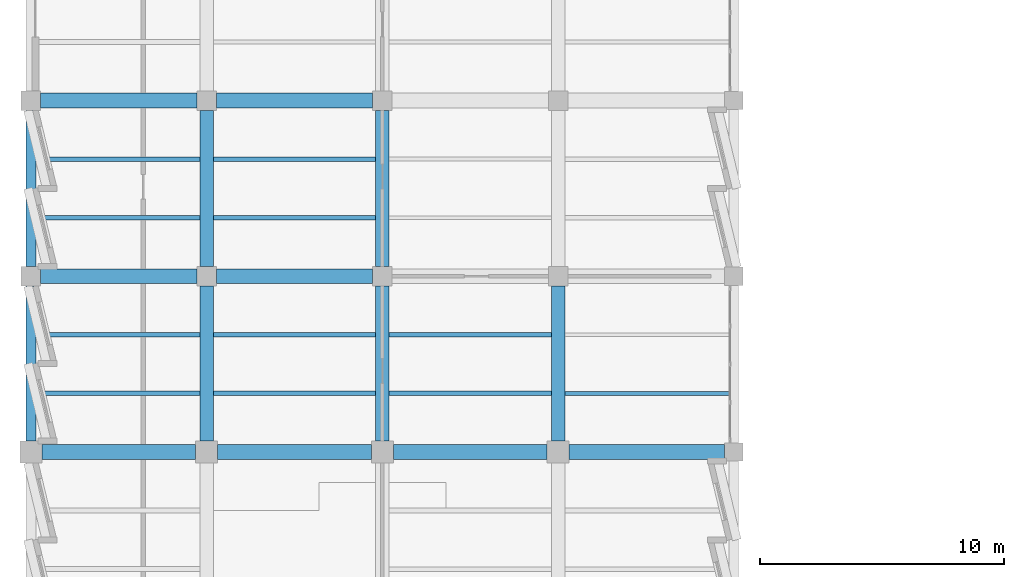
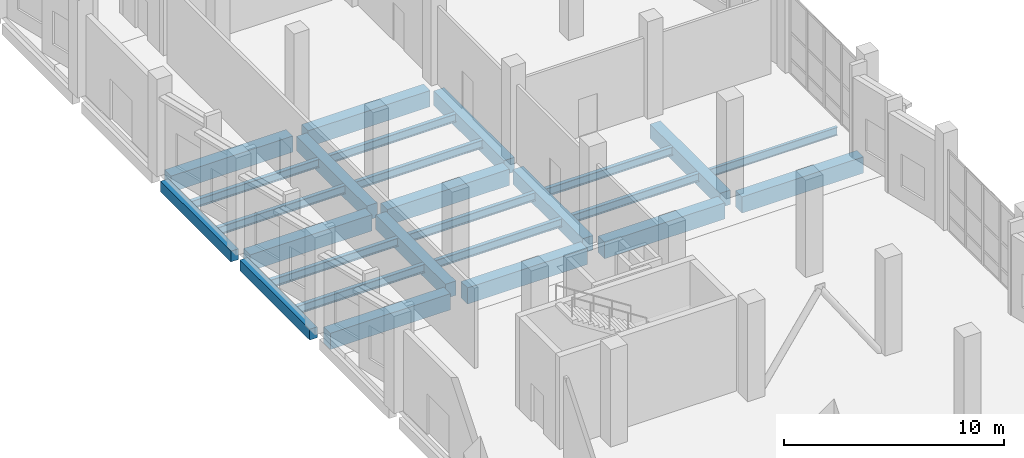
# One storey, part 43 of 137: 26 beams.
"""IFC4 building model written with IfcOpenShell, lengths in metres."""

from ifc_helpers import new_model, si_unit, direction, frame, origin, origin_2d, place, context, subcontext, project, spatial, rectangle, i_section, extrude, material, material_profile, profile_set, type_object, element, save


model = new_model("IFC4")

# Units and contexts
model_context = context("Model", 3, precision=1e-05, world=origin(), true_north=direction((0.0, 1.0)))
body_context = subcontext(model_context, "Body", "Model", "MODEL_VIEW")
ifc_project = project(units=[si_unit("LENGTHUNIT", "METRE"), si_unit("AREAUNIT", "SQUARE_METRE"), si_unit("VOLUMEUNIT", "CUBIC_METRE"), si_unit("PLANEANGLEUNIT", "RADIAN"), si_unit("MASSUNIT", "GRAM", prefix="KILO")], contexts=[model_context])

# Site, building, storey
site_placement = place(None, origin())
site = spatial("IfcSite", under=ifc_project, at=site_placement, CompositionType="ELEMENT")
building_placement = place(site_placement, origin())
building = spatial("IfcBuilding", under=site, at=building_placement, Name="Kalmorath City Hall", CompositionType="ELEMENT")
storey_placement = place(building_placement, origin())
storey = spatial("IfcBuildingStorey", under=building, at=storey_placement, Name="L00", CompositionType="ELEMENT", Elevation=0.0)

# Beams
ifc_material_1 = material(Name="Concrete C40/50", Category="concrete")
ifc_material_profile_1 = material_profile(ifc_material_1, rectangle(XDim=0.39990234375, YDim=0.60009765625, at=origin_2d()), Name="RC-BM-400X600")
ifc_profile_set_1 = profile_set([ifc_material_profile_1], Name="Concrete C40/50")
beam_type_1 = type_object("IfcBeamType", Name="Concrete edge beam 400x600", PredefinedType="SPANDREL", material=ifc_profile_set_1)
beam_1_placement = place(storey_placement, frame((0.0, 65.25, -0.60400390625), z_axis=(0.0, 1.0, 0.0), x_axis=(-1.0, 0.0, 0.0)))
element("IfcBeam", 1, at=beam_1_placement, inside=storey, type_object=beam_type_1, Name="L00 girder CB6 Y1/10-11", PredefinedType="SPANDREL", context=body_context, shape_type="SweptSolid", body=[
    extrude(rectangle(XDim=0.39990234375, YDim=0.60009765625, at=origin_2d()), origin(), (0.0, 0.0, 1.0), 6.35009765625),
])
beam_2_placement = place(storey_placement, frame((0.0, 72.39990234375, -0.60400390625), z_axis=(0.0, 1.0, 0.0), x_axis=(-1.0, 0.0, 0.0)))
element("IfcBeam", 2, at=beam_2_placement, inside=storey, type_object=beam_type_1, Name="L00 girder CB6 Y1/11-12", PredefinedType="SPANDREL", context=body_context, shape_type="SweptSolid", body=[
    extrude(rectangle(XDim=0.39990234375, YDim=0.60009765625, at=origin_2d()), origin(), (0.0, 0.0, 1.0), 6.400146484375),
])
ifc_material_2 = material(Name="Concrete C40/50", Category="concrete")
ifc_material_profile_2 = material_profile(ifc_material_2, rectangle(XDim=0.550048828125, YDim=0.800048828125, at=origin_2d()), Name="RC-BM-550X800")
ifc_profile_set_2 = profile_set([ifc_material_profile_2], Name="Concrete C40/50")
beam_type_2 = type_object("IfcBeamType", Name="Concrete floor girder 550x800", PredefinedType="BEAM", material=ifc_profile_set_2)
beam_3_placement = place(storey_placement, frame((7.199951171875, 65.25, -0.7041015625), z_axis=(0.0, 1.0, 0.0), x_axis=(-1.0, 0.0, 0.0)))
element("IfcBeam", 3, at=beam_3_placement, inside=storey, type_object=beam_type_2, Name="L00 girder CB2 Y2/10-11", PredefinedType="BEAM", context=body_context, shape_type="SweptSolid", body=[
    extrude(rectangle(XDim=0.550048828125, YDim=0.800048828125, at=origin_2d()), origin(), (0.0, 0.0, 1.0), 6.35009765625),
])
beam_4_placement = place(storey_placement, frame((7.199951171875, 72.39990234375, -0.7041015625), z_axis=(0.0, 1.0, 0.0), x_axis=(-1.0, 0.0, 0.0)))
element("IfcBeam", 4, at=beam_4_placement, inside=storey, type_object=beam_type_2, Name="L00 girder CB2 Y2/11-12", PredefinedType="BEAM", context=body_context, shape_type="SweptSolid", body=[
    extrude(rectangle(XDim=0.550048828125, YDim=0.800048828125, at=origin_2d()), origin(), (0.0, 0.0, 1.0), 6.400146484375),
])
beam_5_placement = place(storey_placement, frame((14.39990234375, 65.25, -0.7041015625), z_axis=(0.0, 1.0, 0.0), x_axis=(-1.0, 0.0, 0.0)))
element("IfcBeam", 5, at=beam_5_placement, inside=storey, type_object=beam_type_2, Name="L00 girder CB2 Y3/10-11", PredefinedType="BEAM", context=body_context, shape_type="SweptSolid", body=[
    extrude(rectangle(XDim=0.550048828125, YDim=0.800048828125, at=origin_2d()), origin(), (0.0, 0.0, 1.0), 6.35009765625),
])
beam_6_placement = place(storey_placement, frame((14.39990234375, 72.39990234375, -0.7041015625), z_axis=(0.0, 1.0, 0.0), x_axis=(-1.0, 0.0, 0.0)))
element("IfcBeam", 6, at=beam_6_placement, inside=storey, type_object=beam_type_2, Name="L00 girder CB2 Y3/11-12", PredefinedType="BEAM", context=body_context, shape_type="SweptSolid", body=[
    extrude(rectangle(XDim=0.550048828125, YDim=0.800048828125, at=origin_2d()), origin(), (0.0, 0.0, 1.0), 6.400146484375),
])
beam_7_placement = place(storey_placement, frame((21.60009765625, 65.25, -0.7041015625), z_axis=(0.0, 1.0, 0.0), x_axis=(-1.0, 0.0, 0.0)))
element("IfcBeam", 7, at=beam_7_placement, inside=storey, type_object=beam_type_2, Name="L00 girder CB2 Y4/10-11", PredefinedType="BEAM", context=body_context, shape_type="SweptSolid", body=[
    extrude(rectangle(XDim=0.550048828125, YDim=0.800048828125, at=origin_2d()), origin(), (0.0, 0.0, 1.0), 6.35009765625),
])
ifc_material_3 = material(Name="Concrete C40/50", Category="concrete")
ifc_material_profile_3 = material_profile(ifc_material_3, rectangle(XDim=0.60009765625, YDim=0.89990234375, at=origin_2d()), Name="RC-BM-600X900")
ifc_profile_set_3 = profile_set([ifc_material_profile_3], Name="Concrete C40/50")
beam_type_3 = type_object("IfcBeamType", Name="Concrete floor girder 600x900", PredefinedType="BEAM", material=ifc_profile_set_3)
for number, where, z_axis, x_axis, name in (
    (8, (0.449951171875, 64.800048828125, -0.75390625), (1.0, 0.0, 0.0), (0.0, 1.0, 0.0), "L00 girder CB1 X1-2/10"),
    (9, (7.64990234375, 64.800048828125, -0.75390625), (1.0, 0.0, 0.0), (0.0, 1.0, 0.0), "L00 girder CB1 X2-3/10"),
):
    element("IfcBeam", number, at=place(storey_placement, frame(where, z_axis=z_axis, x_axis=x_axis)), inside=storey, type_object=beam_type_3, Name=name, PredefinedType="BEAM", context=body_context, shape_type="SweptSolid", body=[
        extrude(rectangle(XDim=0.60009765625, YDim=0.89990234375, at=origin_2d()), origin(), (0.0, 0.0, 1.0), 6.300048828125),
    ])
beam_8_placement = place(storey_placement, frame((14.85009765625, 64.800048828125, -0.75390625), z_axis=(1.0, 0.0, 0.0), x_axis=(0.0, 1.0, 0.0)))
element("IfcBeam", 10, at=beam_8_placement, inside=storey, type_object=beam_type_3, Name="L00 girder CB1 X3-4/10", PredefinedType="BEAM", context=body_context, shape_type="SweptSolid", body=[
    extrude(rectangle(XDim=0.60009765625, YDim=0.89990234375, at=origin_2d()), origin(), (0.0, 0.0, 1.0), 6.2998046875),
])
beam_9_placement = place(storey_placement, frame((22.050048828125, 64.800048828125, -0.75390625), z_axis=(1.0, 0.0, 0.0), x_axis=(0.0, 1.0, 0.0)))
element("IfcBeam", 11, at=beam_9_placement, inside=storey, type_object=beam_type_3, Name="L00 girder CB1 X4-5/10", PredefinedType="BEAM", context=body_context, shape_type="SweptSolid", body=[
    extrude(rectangle(XDim=0.60009765625, YDim=0.89990234375, at=origin_2d()), origin(), (0.0, 0.0, 1.0), 6.375),
])
beam_10_placement = place(storey_placement, frame((0.39990234375, 72.0, -0.75390625), z_axis=(1.0, 0.0, 0.0), x_axis=(0.0, 1.0, 0.0)))
element("IfcBeam", 12, at=beam_10_placement, inside=storey, type_object=beam_type_3, Name="L00 girder CB1 X1-2/11", PredefinedType="BEAM", context=body_context, shape_type="SweptSolid", body=[
    extrude(rectangle(XDim=0.60009765625, YDim=0.89990234375, at=origin_2d()), origin(), (0.0, 0.0, 1.0), 6.400146484375),
])
beam_11_placement = place(storey_placement, frame((7.60009765625, 72.0, -0.75390625), z_axis=(1.0, 0.0, 0.0), x_axis=(0.0, 1.0, 0.0)))
element("IfcBeam", 13, at=beam_11_placement, inside=storey, type_object=beam_type_3, Name="L00 girder CB1 X2-3/11", PredefinedType="BEAM", context=body_context, shape_type="SweptSolid", body=[
    extrude(rectangle(XDim=0.60009765625, YDim=0.89990234375, at=origin_2d()), origin(), (0.0, 0.0, 1.0), 6.39990234375),
])
beam_12_placement = place(storey_placement, frame((0.39990234375, 79.199951171875, -0.75390625), z_axis=(1.0, 0.0, 0.0), x_axis=(0.0, 1.0, 0.0)))
element("IfcBeam", 14, at=beam_12_placement, inside=storey, type_object=beam_type_3, Name="L00 girder CB1 X1-2/12", PredefinedType="BEAM", context=body_context, shape_type="SweptSolid", body=[
    extrude(rectangle(XDim=0.60009765625, YDim=0.89990234375, at=origin_2d()), origin(), (0.0, 0.0, 1.0), 6.400146484375),
])
beam_13_placement = place(storey_placement, frame((7.60009765625, 79.199951171875, -0.75390625), z_axis=(1.0, 0.0, 0.0), x_axis=(0.0, 1.0, 0.0)))
element("IfcBeam", 15, at=beam_13_placement, inside=storey, type_object=beam_type_3, Name="L00 girder CB1 X2-3/12", PredefinedType="BEAM", context=body_context, shape_type="SweptSolid", body=[
    extrude(rectangle(XDim=0.60009765625, YDim=0.89990234375, at=origin_2d()), origin(), (0.0, 0.0, 1.0), 6.39990234375),
])
ifc_material_4 = material(Name="Steel ASTM A992 Grade 50", Category="steel")
ifc_material_profile_4 = material_profile(ifc_material_4, i_section(OverallWidth=0.153076171875, OverallDepth=0.455078125, WebThickness=0.008056640625, FlangeThickness=0.01318359375, FilletRadius=0.013916015625, at=origin_2d()), Name="W18X40")
ifc_profile_set_4 = profile_set([ifc_material_profile_4], Name="Steel ASTM A992 Grade 50")
beam_type_4 = type_object("IfcBeamType", Name="Steel composite joist W18X40", PredefinedType="JOIST", material=ifc_profile_set_4)
beam_14_placement = place(storey_placement, frame((21.875, 67.199951171875, -0.531494140625), z_axis=(1.0, 0.0, 0.0), x_axis=(0.0, 1.0, 0.0)))
element("IfcBeam", 16, at=beam_14_placement, inside=storey, type_object=beam_type_4, Name="L00 joist SJ4 4.10.1", PredefinedType="JOIST", context=body_context, shape_type="SweptSolid", body=[
    extrude(i_section(OverallWidth=0.153076171875, OverallDepth=0.455078125, WebThickness=0.008056640625, FlangeThickness=0.01318359375, FilletRadius=0.013916015625, at=origin_2d()), origin(), (0.0, 0.0, 1.0), 6.72509765625),
])
ifc_material_5 = material(Name="Steel ASTM A992 Grade 50", Category="steel")
ifc_material_profile_5 = material_profile(ifc_material_5, i_section(OverallWidth=0.19091796875, OverallDepth=0.45703125, WebThickness=0.009033203125, FlangeThickness=0.014404296875, FilletRadius=0.013916015625, at=origin_2d()), Name="W18X50")
ifc_profile_set_5 = profile_set([ifc_material_profile_5], Name="Steel ASTM A992 Grade 50")
beam_type_5 = type_object("IfcBeamType", Name="Steel composite joist W18X50", PredefinedType="JOIST", material=ifc_profile_set_5)
for number, where, z_axis, x_axis, name in (
    (17, (7.47509765625, 74.39990234375, -0.532470703125), (1.0, 0.0, 0.0), (0.0, 1.0, 0.0), "L00 joist SJ3 2.11.1"),
    (18, (7.47509765625, 76.800048828125, -0.532470703125), (1.0, 0.0, 0.0), (0.0, 1.0, 0.0), "L00 joist SJ3 2.11.2"),
    (19, (14.675048828125, 67.199951171875, -0.532470703125), (1.0, 0.0, 0.0), (0.0, 1.0, 0.0), "L00 joist SJ3 3.10.1"),
    (20, (14.675048828125, 69.60009765625, -0.532470703125), (1.0, 0.0, 0.0), (0.0, 1.0, 0.0), "L00 joist SJ3 3.10.2"),
):
    element("IfcBeam", number, at=place(storey_placement, frame(where, z_axis=z_axis, x_axis=x_axis)), inside=storey, type_object=beam_type_5, Name=name, PredefinedType="JOIST", context=body_context, shape_type="SweptSolid", body=[
        extrude(i_section(OverallWidth=0.19091796875, OverallDepth=0.45703125, WebThickness=0.009033203125, FlangeThickness=0.014404296875, FilletRadius=0.013916015625, at=origin_2d()), origin(), (0.0, 0.0, 1.0), 6.64990234375),
    ])
ifc_material_6 = material(Name="Steel ASTM A992 Grade 50", Category="steel")
ifc_material_profile_6 = material_profile(ifc_material_6, i_section(OverallWidth=0.19091796875, OverallDepth=0.4599609375, WebThickness=0.010009765625, FlangeThickness=0.01611328125, FilletRadius=0.013916015625, at=origin_2d()), Name="W18X55")
ifc_profile_set_6 = profile_set([ifc_material_profile_6], Name="Steel ASTM A992 Grade 50")
beam_type_6 = type_object("IfcBeamType", Name="Steel composite joist W18X55", PredefinedType="JOIST", material=ifc_profile_set_6)
for number, where, z_axis, x_axis, name in (
    (21, (0.199951171875, 74.39990234375, -0.533935546875), (1.0, 0.0, 0.0), (0.0, 1.0, 0.0), "L00 joist SJ2 1.11.1"),
    (22, (0.199951171875, 76.800048828125, -0.533935546875), (1.0, 0.0, 0.0), (0.0, 1.0, 0.0), "L00 joist SJ2 1.11.2"),
):
    element("IfcBeam", number, at=place(storey_placement, frame(where, z_axis=z_axis, x_axis=x_axis)), inside=storey, type_object=beam_type_6, Name=name, PredefinedType="JOIST", context=body_context, shape_type="SweptSolid", body=[
        extrude(i_section(OverallWidth=0.19091796875, OverallDepth=0.4599609375, WebThickness=0.010009765625, FlangeThickness=0.01611328125, FilletRadius=0.013916015625, at=origin_2d()), origin(), (0.0, 0.0, 1.0), 6.72509765625),
    ])
for number, where, z_axis, x_axis, name in (
    (23, (7.47509765625, 67.199951171875, -0.533935546875), (1.0, 0.0, 0.0), (0.0, 1.0, 0.0), "L00 joist SJ2 2.10.1"),
    (24, (7.47509765625, 69.60009765625, -0.533935546875), (1.0, 0.0, 0.0), (0.0, 1.0, 0.0), "L00 joist SJ2 2.10.2"),
):
    element("IfcBeam", number, at=place(storey_placement, frame(where, z_axis=z_axis, x_axis=x_axis)), inside=storey, type_object=beam_type_6, Name=name, PredefinedType="JOIST", context=body_context, shape_type="SweptSolid", body=[
        extrude(i_section(OverallWidth=0.19091796875, OverallDepth=0.4599609375, WebThickness=0.010009765625, FlangeThickness=0.01611328125, FilletRadius=0.013916015625, at=origin_2d()), origin(), (0.0, 0.0, 1.0), 6.64990234375),
    ])
ifc_material_7 = material(Name="Steel ASTM A992 Grade 50", Category="steel")
ifc_material_profile_7 = material_profile(ifc_material_7, i_section(OverallWidth=0.193115234375, OverallDepth=0.466064453125, WebThickness=0.011474609375, FlangeThickness=0.01904296875, FilletRadius=0.013916015625, at=origin_2d()), Name="W18X65")
ifc_profile_set_7 = profile_set([ifc_material_profile_7], Name="Steel ASTM A992 Grade 50")
beam_type_7 = type_object("IfcBeamType", Name="Steel composite joist W18X65", PredefinedType="JOIST", material=ifc_profile_set_7)
for number, where, z_axis, x_axis, name in (
    (25, (0.199951171875, 67.199951171875, -0.537109375), (1.0, 0.0, 0.0), (0.0, 1.0, 0.0), "L00 joist SJ1 1.10.1"),
    (26, (0.199951171875, 69.60009765625, -0.537109375), (1.0, 0.0, 0.0), (0.0, 1.0, 0.0), "L00 joist SJ1 1.10.2"),
):
    element("IfcBeam", number, at=place(storey_placement, frame(where, z_axis=z_axis, x_axis=x_axis)), inside=storey, type_object=beam_type_7, Name=name, PredefinedType="JOIST", context=body_context, shape_type="SweptSolid", body=[
        extrude(i_section(OverallWidth=0.193115234375, OverallDepth=0.466064453125, WebThickness=0.011474609375, FlangeThickness=0.01904296875, FilletRadius=0.013916015625, at=origin_2d()), origin(), (0.0, 0.0, 1.0), 6.72509765625),
    ])

save(model, "model.ifc")
